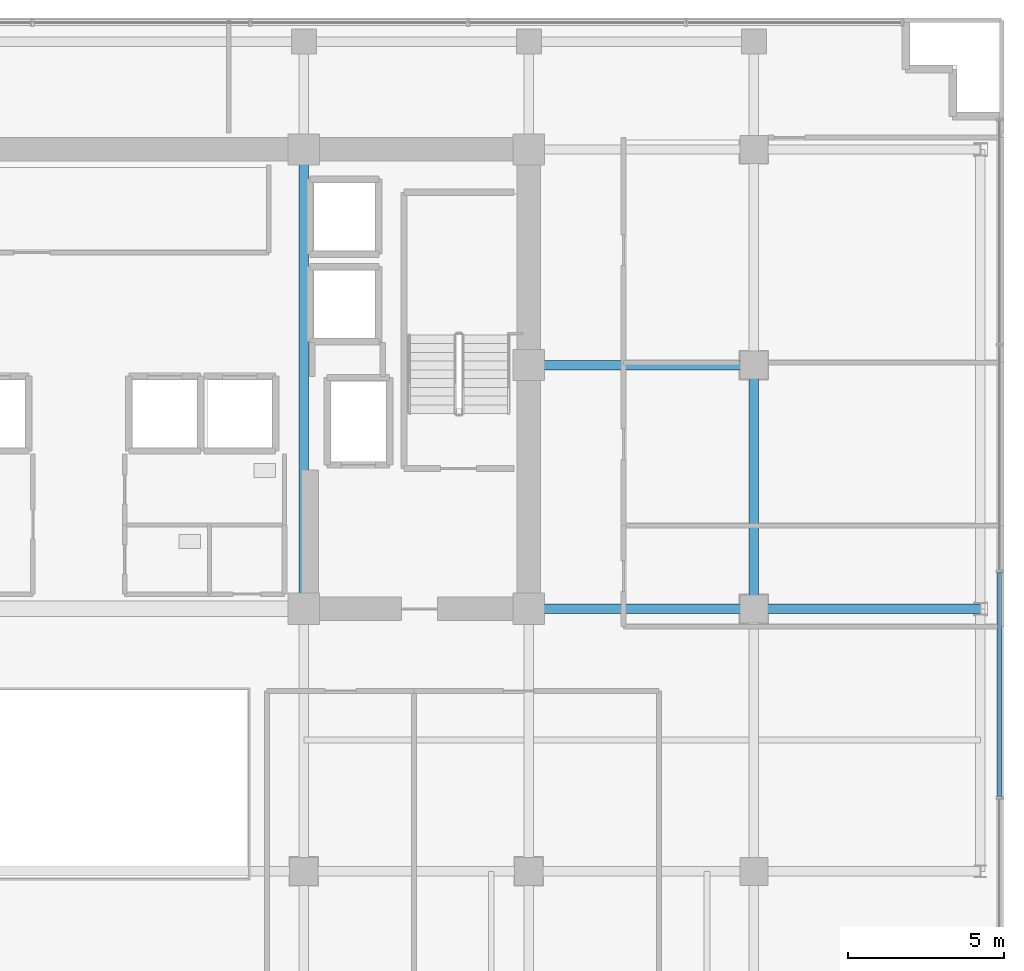
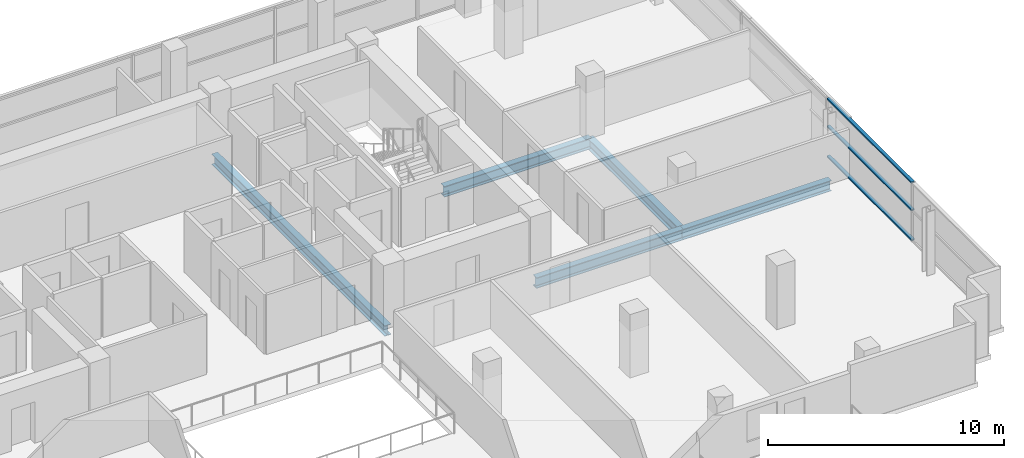
# One storey, part 8 of 23: 5 beams, 3 members, 1 element without a shape of its own.
"""IFC4 building model written with IfcOpenShell, lengths in metres."""

from ifc_helpers import new_model, si_unit, direction, frame, origin, origin_2d, place, context, subcontext, project, spatial, hollow_rectangle, i_section, extrude, source, transform, mapped, material, layer, layer_set, material_profile, profile_set, type_object, element, aggregate, save


model = new_model("IFC4")

# Units and contexts
model_context = context("Model", 3, precision=1e-05, world=origin(), true_north=direction((0.0, 1.0)))
body_context = subcontext(model_context, "Body", "Model", "MODEL_VIEW")
ifc_project = project(units=[si_unit("LENGTHUNIT", "METRE"), si_unit("AREAUNIT", "SQUARE_METRE"), si_unit("VOLUMEUNIT", "CUBIC_METRE"), si_unit("PLANEANGLEUNIT", "RADIAN"), si_unit("MASSUNIT", "GRAM", prefix="KILO")], contexts=[model_context])

# Site, building, storey
site_placement = place(None, origin())
site = spatial("IfcSite", under=ifc_project, at=site_placement, CompositionType="ELEMENT")
building_placement = place(site_placement, origin())
building = spatial("IfcBuilding", under=site, at=building_placement, Name="Zarnakvel Exchange Tower", CompositionType="ELEMENT")
storey_placement = place(building_placement, frame((0.0, 0.0, 123.10009765625)))
storey = spatial("IfcBuildingStorey", under=building, at=storey_placement, Name="L34", CompositionType="ELEMENT", Elevation=123.10009765625)

# Beams
ifc_material_1 = material(Name="Steel S355", Category="steel")
ifc_material_profile_1 = material_profile(ifc_material_1, i_section(OverallWidth=0.300048828125, OverallDepth=0.550048828125, WebThickness=0.014892578125, FlangeThickness=0.029052734375, FilletRadius=0.027099609375, at=origin_2d()))
ifc_profile_set_1 = profile_set([ifc_material_profile_1], Name="Steel S355")
beam_type = type_object("IfcBeamType", Name="G-05", PredefinedType="BEAM", material=ifc_profile_set_1)
beam_1_placement = place(storey_placement, frame((14.39990234375, -1.199951171875, -0.5), z_axis=(1.0, 0.0, 0.0), x_axis=(0.0, 1.0, 0.0)))
element("IfcBeam", 1, at=beam_1_placement, inside=storey, type_object=beam_type, Name="L34 Tower E-W Frame Beam", PredefinedType="BEAM", context=body_context, shape_type="SweptSolid", body=[
    extrude(i_section(OverallWidth=0.300048828125, OverallDepth=0.550048828125, WebThickness=0.014892578125, FlangeThickness=0.029052734375, FilletRadius=0.027099609375, at=origin_2d()), origin(), (0.0, 0.0, 1.0), 7.2001953125),
])
beam_2_placement = place(storey_placement, frame((21.60009765625, -1.199951171875, -0.5), z_axis=(1.0, 0.0, 0.0), x_axis=(0.0, 1.0, 0.0)))
element("IfcBeam", 2, at=beam_2_placement, inside=storey, type_object=beam_type, Name="L34 Tower E-W Frame Beam", PredefinedType="BEAM", context=body_context, shape_type="SweptSolid", body=[
    extrude(i_section(OverallWidth=0.300048828125, OverallDepth=0.550048828125, WebThickness=0.014892578125, FlangeThickness=0.029052734375, FilletRadius=0.027099609375, at=origin_2d()), origin(), (0.0, 0.0, 1.0), 7.25),
])
beam_3_placement = place(storey_placement, frame((14.39990234375, 6.60009765625, -0.5), z_axis=(1.0, 0.0, 0.0), x_axis=(0.0, 1.0, 0.0)))
element("IfcBeam", 3, at=beam_3_placement, inside=storey, type_object=beam_type, Name="L34 Tower E-W Frame Beam", PredefinedType="BEAM", context=body_context, shape_type="SweptSolid", body=[
    extrude(i_section(OverallWidth=0.300048828125, OverallDepth=0.550048828125, WebThickness=0.014892578125, FlangeThickness=0.029052734375, FilletRadius=0.027099609375, at=origin_2d()), origin(), (0.0, 0.0, 1.0), 7.2001953125),
])
beam_4_placement = place(storey_placement, frame((7.199951171875, -1.199951171875, -0.5), z_axis=(0.0, 1.0, 0.0), x_axis=(-1.0, 0.0, 0.0)))
element("IfcBeam", 4, at=beam_4_placement, inside=storey, type_object=beam_type, Name="L34 Tower N-S Frame Beam", PredefinedType="BEAM", context=body_context, shape_type="SweptSolid", body=[
    extrude(i_section(OverallWidth=0.300048828125, OverallDepth=0.550048828125, WebThickness=0.014892578125, FlangeThickness=0.029052734375, FilletRadius=0.027099609375, at=origin_2d()), origin(), (0.0, 0.0, 1.0), 14.699951171875),
])
beam_5_placement = place(storey_placement, frame((21.60009765625, -1.199951171875, -0.5), z_axis=(0.0, 1.0, 0.0), x_axis=(-1.0, 0.0, 0.0)))
element("IfcBeam", 5, at=beam_5_placement, inside=storey, type_object=beam_type, Name="L34 Tower N-S Frame Beam", PredefinedType="BEAM", context=body_context, shape_type="SweptSolid", body=[
    extrude(i_section(OverallWidth=0.300048828125, OverallDepth=0.550048828125, WebThickness=0.014892578125, FlangeThickness=0.029052734375, FilletRadius=0.027099609375, at=origin_2d()), origin(), (0.0, 0.0, 1.0), 7.800048828125),
])

# Curtain wall, members
ifc_material_2 = material(Name="Architectural Bronze Anodised Aluminium", Category="aluminium")
ifc_layer = layer(ifc_material_2, 0.199951171875)
ifc_layer_set = layer_set([ifc_layer], Name="Architectural Bronze Anodised Aluminium")
curtain_wall_type = type_object("IfcCurtainWallType", Name="CW-04", PredefinedType="NOTDEFINED", material=ifc_layer_set)
curtain_wall_placement = place(storey_placement, origin())
curtain_wall = element("IfcCurtainWall", 6, at=curtain_wall_placement, inside=storey, type_object=curtain_wall_type, Name="L34 Curtain Wall CW-L34-E1 (CW-04)", PredefinedType="NOTDEFINED")
ifc_material_profile_2 = material_profile(ifc_material_2, hollow_rectangle(XDim=0.159912109375, YDim=0.074951171875, WallThickness=0.00390625, at=origin_2d()))
ifc_profile_set_2 = profile_set([ifc_material_profile_2], Name="Architectural Bronze Anodised Aluminium")
member_type = type_object("IfcMemberType", Name="CWT-04", PredefinedType="USERDEFINED", material=ifc_profile_set_2)
shared_shape = source(origin(), body_context, "Body", "SweptSolid", [
    extrude(hollow_rectangle(XDim=0.159912109375, YDim=0.074951171875, WallThickness=0.00390625, at=origin_2d()), origin(), (0.0, 0.0, 1.0), 7.1748046875),
])
member_1_placement = place(storey_placement, frame((29.4599609375, -7.21240234375, 0.037353515625), z_axis=(0.0, 1.0, 0.0), x_axis=(-1.0, 0.0, 0.0)))
member_1 = element("IfcMember", 7, at=member_1_placement, type_object=member_type, Name="CW-04 transom 2.1", ObjectType="TRANSOM", PredefinedType="USERDEFINED", context=body_context, shape_type="MappedRepresentation", body=[
    mapped(shared_shape, transform((0.0, 0.0, 0.0), x_axis=(1.0, 0.0, 0.0), y_axis=(0.0, 1.0, 0.0), z_axis=(0.0, 0.0, 1.0), scale=1.0)),
])
member_2_placement = place(storey_placement, frame((29.4599609375, -7.21240234375, 1.588623046875), z_axis=(0.0, 1.0, 0.0), x_axis=(-1.0, 0.0, 0.0)))
member_2 = element("IfcMember", 8, at=member_2_placement, type_object=member_type, Name="CW-04 transom 2.2", ObjectType="TRANSOM", PredefinedType="USERDEFINED", context=body_context, shape_type="MappedRepresentation", body=[
    mapped(shared_shape, transform((0.0, 0.0, 0.0), x_axis=(1.0, 0.0, 0.0), y_axis=(0.0, 1.0, 0.0), z_axis=(0.0, 0.0, 1.0), scale=1.0)),
])
member_3_placement = place(storey_placement, frame((29.4599609375, -7.21240234375, 3.017333984375), z_axis=(0.0, 1.0, 0.0), x_axis=(-1.0, 0.0, 0.0)))
member_3 = element("IfcMember", 9, at=member_3_placement, type_object=member_type, Name="CW-04 transom 2.3", ObjectType="TRANSOM", PredefinedType="USERDEFINED", context=body_context, shape_type="MappedRepresentation", body=[
    mapped(shared_shape, transform((0.0, 0.0, 0.0), x_axis=(1.0, 0.0, 0.0), y_axis=(0.0, 1.0, 0.0), z_axis=(0.0, 0.0, 1.0), scale=1.0)),
])
aggregate(curtain_wall, [member_1, member_2, member_3])

save(model, "model.ifc")
